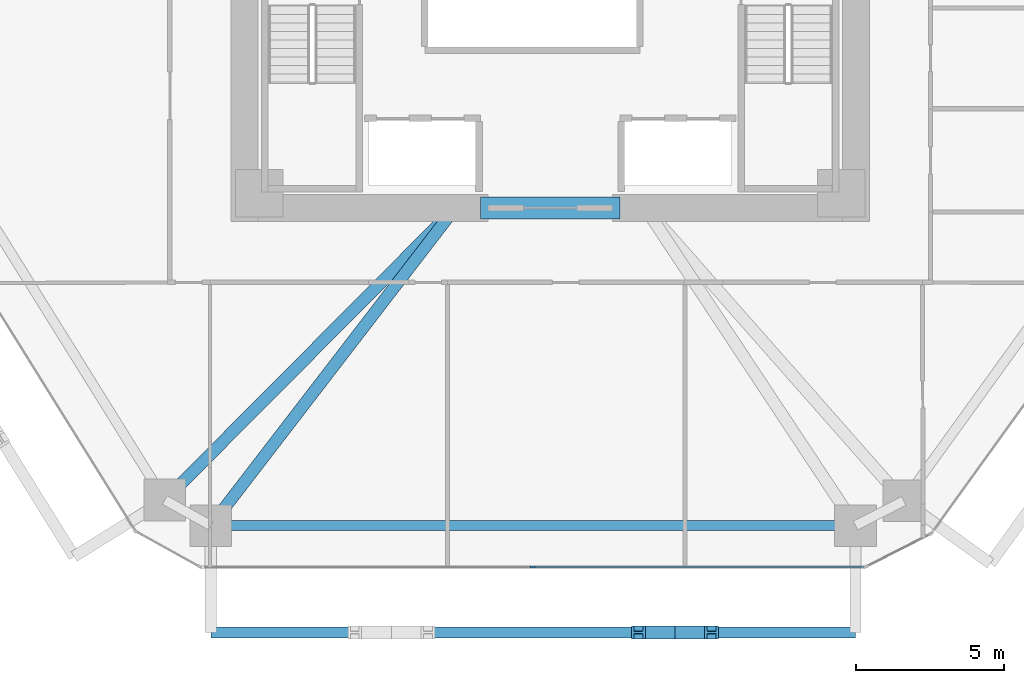
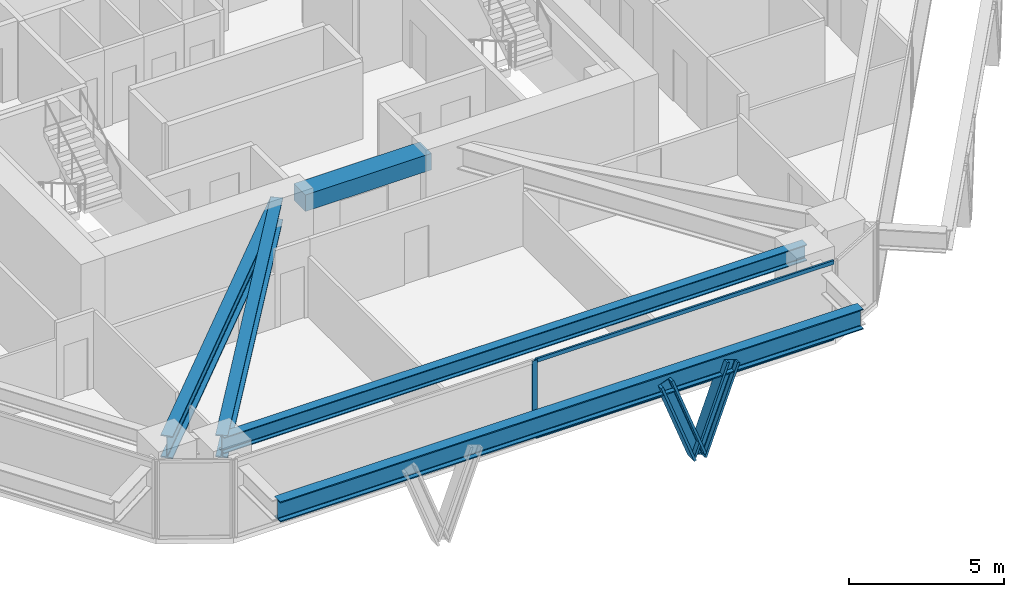
# One storey, part 3 of 15: 5 beams, 5 members, 1 element without a shape of its own.
"""IFC4 building model written with IfcOpenShell, lengths in metres."""

from ifc_helpers import new_model, si_unit, direction, frame, origin, origin_2d, place, context, subcontext, project, spatial, rectangle, i_section, extrude, source, transform, mapped, material, layer, layer_set, material_profile, profile_set, type_object, type_shapes, element, aggregate, save


model = new_model("IFC4")

# Units and contexts
model_context = context("Model", 3, precision=1e-05, world=origin(), true_north=direction((0.0, 1.0)))
body_context = subcontext(model_context, "Body", "Model", "MODEL_VIEW")
ifc_project = project(units=[si_unit("LENGTHUNIT", "METRE"), si_unit("AREAUNIT", "SQUARE_METRE"), si_unit("VOLUMEUNIT", "CUBIC_METRE"), si_unit("PLANEANGLEUNIT", "RADIAN"), si_unit("MASSUNIT", "GRAM", prefix="KILO")], contexts=[model_context])

# Site, building, storey
site_placement = place(None, origin())
site = spatial("IfcSite", under=ifc_project, at=site_placement, CompositionType="ELEMENT")
building_placement = place(site_placement, origin())
building = spatial("IfcBuilding", under=site, at=building_placement, Name="Durnholm Broadcast Tower", CompositionType="ELEMENT")
storey_placement = place(building_placement, frame((0.0, 0.0, 55.5)))
storey = spatial("IfcBuildingStorey", under=building, at=storey_placement, Name="L13", CompositionType="ELEMENT", Elevation=55.5)

# Beams
ifc_material_1 = material(Name="Concrete C70/85", Category="concrete")
ifc_material_profile_1 = material_profile(ifc_material_1, rectangle(XDim=0.75, YDim=0.64990234375, at=origin_2d()), Name="RC750X650")
ifc_profile_set_1 = profile_set([ifc_material_profile_1], Name="Concrete C70/85")
beam_type_1 = type_object("IfcBeamType", Name="BM-CB-RC650", PredefinedType="LINTEL", material=ifc_profile_set_1)
shared_shape_1 = source(origin(), body_context, "Body", "SweptSolid", [
    extrude(rectangle(XDim=0.75, YDim=0.64990234375, at=origin_2d()), origin(), (0.0, 0.0, 1.0), 4.7001953125),
])
type_shapes(beam_type_1, [shared_shape_1])
beam_1_placement = place(storey_placement, frame((-2.35009765625, -8.300048828125, 2.72998046875), z_axis=(1.0, 0.0, 0.0), x_axis=(0.0, 1.0, 0.0)))
element("IfcBeam", 1, at=beam_1_placement, inside=storey, type_object=beam_type_1, Name="L13 south core coupling lintel beam CB-S", PredefinedType="LINTEL", context=body_context, shape_type="MappedRepresentation", body=[
    mapped(shared_shape_1, transform((0.0, 0.0, 0.0), x_axis=(1.0, 0.0, 0.0), y_axis=(0.0, 1.0, 0.0), z_axis=(0.0, 0.0, 1.0), scale=1.0)),
])
ifc_material_2 = material(Name="Steel ASTM A992 Grade 50", Category="steel")
ifc_material_profile_2 = material_profile(ifc_material_2, i_section(OverallWidth=0.3291015625, OverallDepth=0.635009765625, WebThickness=0.017822265625, FlangeThickness=0.031005859375, FilletRadius=0.02783203125, at=origin_2d()), Name="W24X162")
ifc_profile_set_2 = profile_set([ifc_material_profile_2], Name="Steel ASTM A992 Grade 50")
beam_type_2 = type_object("IfcBeamType", Name="STL-SP-W24X162", PredefinedType="SPANDREL", material=ifc_profile_set_2)
shared_shape_2 = source(origin(), body_context, "Body", "SweptSolid", [
    extrude(i_section(OverallWidth=0.3291015625, OverallDepth=0.635009765625, WebThickness=0.017822265625, FlangeThickness=0.031005859375, FilletRadius=0.02783203125, at=origin_2d()), origin(), (0.0, 0.0, 1.0), 21.7138671875),
])
type_shapes(beam_type_2, [shared_shape_2])
beam_2_placement = place(storey_placement, frame((10.28271484375, -19.0, 2.7275390625), z_axis=(-1.0, 0.0, 0.0), x_axis=(0.0, -1.0, 0.0)))
element("IfcBeam", 2, at=beam_2_placement, inside=storey, type_object=beam_type_2, Name="L13 perimeter spandrel girder 11", PredefinedType="SPANDREL", context=body_context, shape_type="MappedRepresentation", body=[
    mapped(shared_shape_2, transform((0.0, 0.0, 0.0), x_axis=(1.0, 0.0, 0.0), y_axis=(0.0, 1.0, 0.0), z_axis=(0.0, 0.0, 1.0), scale=1.0)),
])
ifc_material_profile_3 = material_profile(ifc_material_2, i_section(OverallWidth=0.404052734375, OverallDepth=0.885009765625, WebThickness=0.0244140625, FlangeThickness=0.0439453125, FilletRadius=0.03564453125, at=origin_2d()), Name="W33X291")
ifc_profile_set_3 = profile_set([ifc_material_profile_3], Name="Steel ASTM A992 Grade 50")
beam_type_3 = type_object("IfcBeamType", Name="STL-GR-W33X291", PredefinedType="USERDEFINED", material=ifc_profile_set_3)
shared_shape_3 = source(origin(), body_context, "Body", "SweptSolid", [
    extrude(i_section(OverallWidth=0.404052734375, OverallDepth=0.885009765625, WebThickness=0.0244140625, FlangeThickness=0.0439453125, FilletRadius=0.03564453125, at=origin_2d()), origin(), (0.0, 0.0, 1.0), 13.874267578125),
])
beam_3_placement = place(storey_placement, frame((-3.199951171875, -8.300048828125, 2.6025390625), z_axis=(-0.705097917174, -0.709109954237, 0.0), x_axis=(0.709109954237, -0.705097917174, 0.0)))
element("IfcBeam", 3, at=beam_3_placement, inside=storey, type_object=beam_type_3, Name="L13 radial primary floor girder 01", ObjectType="GIRDER", PredefinedType="USERDEFINED", context=body_context, shape_type="MappedRepresentation", body=[
    mapped(shared_shape_3, transform((0.0, 0.0, 0.0), x_axis=(1.0, 0.0, 0.0), y_axis=(0.0, 1.0, 0.0), z_axis=(0.0, 0.0, 1.0), scale=1.0)),
])
shared_shape_4 = source(origin(), body_context, "Body", "SweptSolid", [
    extrude(i_section(OverallWidth=0.404052734375, OverallDepth=0.885009765625, WebThickness=0.0244140625, FlangeThickness=0.0439453125, FilletRadius=0.03564453125, at=origin_2d()), origin(), (0.0, 0.0, 1.0), 13.499755859375),
])
type_shapes(beam_type_3, [shared_shape_3, shared_shape_4])
beam_4_placement = place(storey_placement, frame((-3.199951171875, -8.300048828125, 2.6025390625), z_axis=(-0.609732610412, -0.79260718127, 0.0), x_axis=(0.79260718127, -0.609732610412, 0.0)))
element("IfcBeam", 4, at=beam_4_placement, inside=storey, type_object=beam_type_3, Name="L13 radial primary floor girder 12", ObjectType="GIRDER", PredefinedType="USERDEFINED", context=body_context, shape_type="MappedRepresentation", body=[
    mapped(shared_shape_4, transform((0.0, 0.0, 0.0), x_axis=(1.0, 0.0, 0.0), y_axis=(0.0, 1.0, 0.0), z_axis=(0.0, 0.0, 1.0), scale=1.0)),
])
ifc_material_profile_4 = material_profile(ifc_material_2, i_section(OverallWidth=0.385009765625, OverallDepth=0.802978515625, WebThickness=0.023681640625, FlangeThickness=0.0419921875, FilletRadius=0.032958984375, at=origin_2d()), Name="W30X261")
ifc_profile_set_4 = profile_set([ifc_material_profile_4], Name="Steel ASTM A992 Grade 50")
beam_type_4 = type_object("IfcBeamType", Name="BM-EXO-TIE", PredefinedType="USERDEFINED", material=ifc_profile_set_4)
shared_shape_5 = source(origin(), body_context, "Body", "SweptSolid", [
    extrude(i_section(OverallWidth=0.385009765625, OverallDepth=0.802978515625, WebThickness=0.023681640625, FlangeThickness=0.0419921875, FilletRadius=0.032958984375, at=origin_2d()), origin(), (0.0, 0.0, 1.0), 21.7138671875),
])
type_shapes(beam_type_4, [shared_shape_5])
beam_5_placement = place(storey_placement, frame((-11.43115234375, -22.60009765625, 2.30859375), z_axis=(1.0, 0.0, 0.0), x_axis=(0.0, 1.0, 0.0)))
element("IfcBeam", 5, at=beam_5_placement, inside=storey, type_object=beam_type_4, Name="L13 exoskeleton collector spandrel F1", PredefinedType="SPANDREL", context=body_context, shape_type="MappedRepresentation", body=[
    mapped(shared_shape_5, transform((0.0, 0.0, 0.0), x_axis=(1.0, 0.0, 0.0), y_axis=(0.0, 1.0, 0.0), z_axis=(0.0, 0.0, 1.0), scale=1.0)),
])

# Members
ifc_material_3 = material(Name="Steel ASTM A913 Grade 65", Category="steel")
ifc_material_profile_5 = material_profile(ifc_material_3, i_section(OverallWidth=0.43212890625, OverallDepth=0.497802734375, WebThickness=0.0556640625, FlangeThickness=0.0888671875, FilletRadius=0.030517578125, at=origin_2d()), Name="W14X500")
ifc_profile_set_5 = profile_set([ifc_material_profile_5], Name="Steel ASTM A913 Grade 65")
member_type_1 = type_object("IfcMemberType", Name="STL-DG-W14X500", PredefinedType="BRACE", material=ifc_profile_set_5)
shared_shape_6 = source(origin(), body_context, "Body", "SweptSolid", [
    extrude(i_section(OverallWidth=0.43212890625, OverallDepth=0.497802734375, WebThickness=0.0556640625, FlangeThickness=0.0888671875, FilletRadius=0.030517578125, at=origin_2d()), origin(), (0.0, 0.0, 1.0), 3.523193359375),
])
type_shapes(member_type_1, [shared_shape_6])
for number, where, z_axis, x_axis, name in (
    (6, (4.202880859375, -22.60009765625, -0.991455078125), (-0.350219588454, 0.0, 0.936667625075), (0.0, -1.0, 0.0), "L13 stand-off diagrid brace F1.D2.1"),
    (7, (4.202880859375, -22.60009765625, -0.991455078125), (0.350219588454, 0.0, 0.936667625075), (0.0, 1.0, 0.0), "L13 stand-off diagrid brace F1.D2.2"),
):
    element("IfcMember", number, at=place(storey_placement, frame(where, z_axis=z_axis, x_axis=x_axis)), inside=storey, type_object=member_type_1, Name=name, PredefinedType="BRACE", context=body_context, shape_type="MappedRepresentation", body=[
        mapped(shared_shape_6, transform((0.0, 0.0, 0.0), x_axis=(1.0, 0.0, 0.0), y_axis=(0.0, 1.0, 0.0), z_axis=(0.0, 0.0, 1.0), scale=1.0)),
    ])

# Curtain wall, members
ifc_material_4 = material(Name="Aluminium and Solar Control IGU", Category="aluminium")
ifc_layer = layer(ifc_material_4, 0.18994140625)
ifc_layer_set = layer_set([ifc_layer], Name="Aluminium and Solar Control IGU")
curtain_wall_type = type_object("IfcCurtainWallType", Name="CW-SYS-3", PredefinedType="NOTDEFINED", material=ifc_layer_set)
curtain_wall_placement = place(storey_placement, origin())
curtain_wall = element("IfcCurtainWall", 8, at=curtain_wall_placement, inside=storey, type_object=curtain_wall_type, Name="L13 curtain wall CW-Z12-VIS CW-L13-F10", PredefinedType="NOTDEFINED")
ifc_material_5 = material(Name="Aluminium 6063-T6", Category="aluminium")
ifc_material_profile_6 = material_profile(ifc_material_5, rectangle(XDim=0.070068359375, YDim=0.18994140625, at=origin_2d()), Name="CWM70X190")
ifc_profile_set_6 = profile_set([ifc_material_profile_6], Name="Aluminium 6063-T6")
member_type_2 = type_object("IfcMemberType", Name="CW-SYS-3-MUL", PredefinedType="MULLION", material=ifc_profile_set_6)
shared_shape_7 = source(origin(), body_context, "Body", "SweptSolid", [
    extrude(rectangle(XDim=0.070068359375, YDim=0.18994140625, at=origin_2d()), origin(), (0.0, 0.0, 1.0), 3.06005859375),
])
type_shapes(member_type_2, [shared_shape_7])
member_1_placement = place(storey_placement, frame((-0.5869140625, -20.39990234375, 0.0), z_axis=(0.0, 0.0, 1.0), x_axis=(0.0, -1.0, 0.0)))
member_1 = element("IfcMember", 9, at=member_1_placement, type_object=member_type_2, Name="CW-Z12-VIS mullion 2", PredefinedType="MULLION", context=body_context, shape_type="MappedRepresentation", body=[
    mapped(shared_shape_7, transform((0.0, 0.0, 0.0), x_axis=(1.0, 0.0, 0.0), y_axis=(0.0, 1.0, 0.0), z_axis=(0.0, 0.0, 1.0), scale=1.0)),
])
ifc_material_profile_7 = material_profile(ifc_material_5, rectangle(XDim=0.070068359375, YDim=0.14990234375, at=origin_2d()), Name="CWT70X150")
ifc_profile_set_7 = profile_set([ifc_material_profile_7], Name="Aluminium 6063-T6")
member_type_3 = type_object("IfcMemberType", Name="CW-SYS-3-TRN", PredefinedType="USERDEFINED", material=ifc_profile_set_7)
shared_shape_8 = source(origin(), body_context, "Body", "SweptSolid", [
    extrude(rectangle(XDim=0.070068359375, YDim=0.14990234375, at=origin_2d()), origin(), (0.0, 0.0, 1.0), 11.10205078125),
])
type_shapes(member_type_3, [shared_shape_8])
member_2_placement = place(storey_placement, frame((10.55029296875, -20.39990234375, 0.034912109375), z_axis=(-1.0, 0.0, 0.0), x_axis=(0.0, -1.0, 0.0)))
member_2 = element("IfcMember", 10, at=member_2_placement, type_object=member_type_3, Name="CW-Z12-VIS transom 1.1", ObjectType="TRANSOM", PredefinedType="USERDEFINED", context=body_context, shape_type="MappedRepresentation", body=[
    mapped(shared_shape_8, transform((0.0, 0.0, 0.0), x_axis=(1.0, 0.0, 0.0), y_axis=(0.0, 1.0, 0.0), z_axis=(0.0, 0.0, 1.0), scale=1.0)),
])
member_3_placement = place(storey_placement, frame((10.55029296875, -20.39990234375, 3.02490234375), z_axis=(-1.0, 0.0, 0.0), x_axis=(0.0, -1.0, 0.0)))
member_3 = element("IfcMember", 11, at=member_3_placement, type_object=member_type_3, Name="CW-Z12-VIS transom 1.2", ObjectType="TRANSOM", PredefinedType="USERDEFINED", context=body_context, shape_type="MappedRepresentation", body=[
    mapped(shared_shape_8, transform((0.0, 0.0, 0.0), x_axis=(1.0, 0.0, 0.0), y_axis=(0.0, 1.0, 0.0), z_axis=(0.0, 0.0, 1.0), scale=1.0)),
])
aggregate(curtain_wall, [member_1, member_2, member_3])

save(model, "model.ifc")
